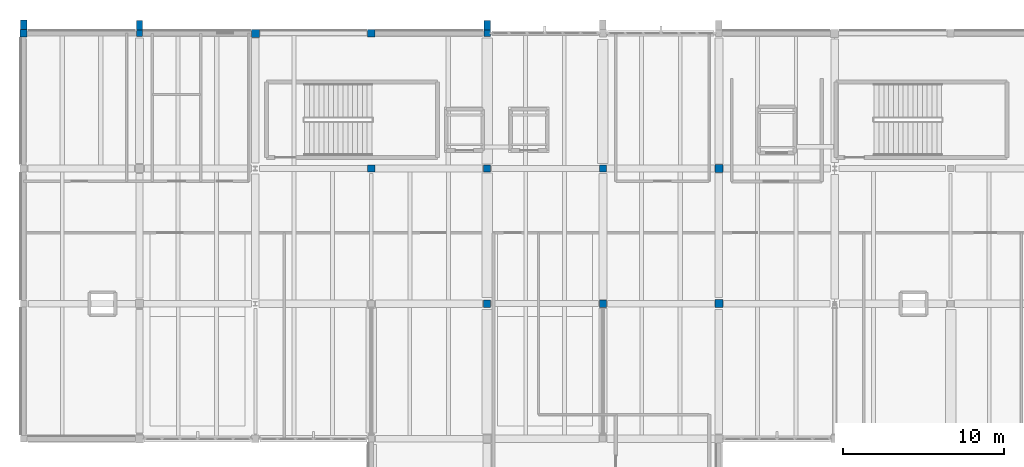
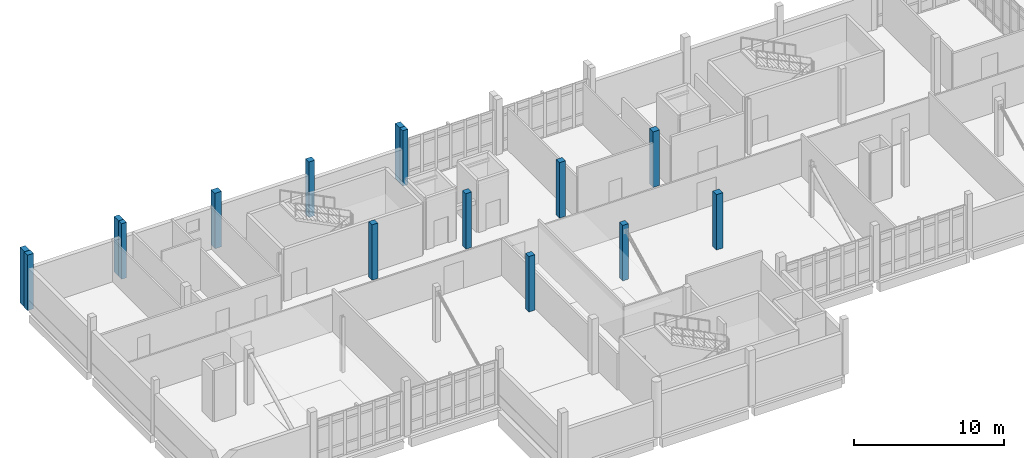
# One storey, part 3 of 34: 15 columns.
"""IFC4 building model written with IfcOpenShell, lengths in metres."""

import ifcopenshell
import ifcopenshell.guid

model = None  # the IFC model being written
_history = None  # IfcOwnerHistory: only IFC2X3 demands one
_inside = {}  # id of a spatial element -> (the spatial element, [elements in it])
_under = {}  # id of a project, library or spatial element -> (it, [spatial elements below it])
_declared = {}  # id of a project -> (the project, [libraries it declares])
_typed = {}  # id of a type object -> (the type object, [elements of that type])
_made_of = {}  # id of a material, layer set ... -> (it, [elements and type objects made of it])


def new_model(schema):
    """Start an empty IFC model of exactly this schema.

    Asked for "IFC4X3", IfcOpenShell would pick the latest addendum, in which some entities
    have other attributes; the version numbers below select the first issue.
    IFC2X3 requires an IfcOwnerHistory on every rooted entity: one is made here for all.
    """
    global model, _history
    if schema == "IFC4X3":
        model = ifcopenshell.file(schema_version=(4, 3, 0, 0))
    else:
        model = ifcopenshell.file(schema=schema)
    _inside.clear()
    _under.clear()
    _declared.clear()
    _typed.clear()
    _made_of.clear()
    _history = None
    if model.schema == "IFC2X3":
        org = make("IfcOrganization", Name="unknown")
        user = make(
            "IfcPersonAndOrganization",
            ThePerson=make("IfcPerson", FamilyName="unknown"),
            TheOrganization=org,
        )
        app = make(
            "IfcApplication",
            ApplicationDeveloper=org,
            Version="unknown",
            ApplicationFullName="unknown",
            ApplicationIdentifier="unknown",
        )
        _history = make(
            "IfcOwnerHistory",
            OwningUser=user,
            OwningApplication=app,
            ChangeAction="ADDED",
            CreationDate=0,
        )
    return model


def make(cls, **values):
    """One entity of the class cls with the attributes given. An attribute that is None is left unset."""
    return model.create_entity(
        cls, **{name: value for name, value in values.items() if value is not None}
    )


def rooted(cls, **values):
    """An entity with a GlobalId (a new one), such as an element, a storey or a relation."""
    return make(cls, GlobalId=ifcopenshell.guid.new(), OwnerHistory=_history, **values)


def si_unit(unit_type, name, prefix=None):
    """IfcSIUnit, for example si_unit("LENGTHUNIT", "METRE", prefix="MILLI")."""
    return make("IfcSIUnit", UnitType=unit_type, Prefix=prefix, Name=name)


def assignment(units):
    """IfcUnitAssignment: the units of a project."""
    return None if units is None else make("IfcUnitAssignment", Units=units)


def point(xyz):
    """IfcCartesianPoint."""
    return None if xyz is None else make("IfcCartesianPoint", Coordinates=xyz)


def direction(xyz):
    """IfcDirection."""
    return None if xyz is None else make("IfcDirection", DirectionRatios=xyz)


def frame(location, z_axis=None, x_axis=None):
    """IfcAxis2Placement3D, a coordinate frame: its origin and axes. An axis left out is left unset."""
    return make(
        "IfcAxis2Placement3D",
        Location=point(location),
        Axis=direction(z_axis),
        RefDirection=direction(x_axis),
    )


def frame_2d(location, x_axis=None):
    """IfcAxis2Placement2D, a coordinate frame in the plane: its origin and x axis."""
    return make(
        "IfcAxis2Placement2D", Location=point(location), RefDirection=direction(x_axis)
    )


def origin():
    """The frame at (0, 0, 0) with its axes left unset."""
    return frame((0.0, 0.0, 0.0))


def origin_2d():
    """The frame at (0, 0) in the plane with its x axis left unset."""
    return frame_2d((0.0, 0.0))


def place(relative_to, where):
    """IfcLocalPlacement: puts the frame where relative to a parent placement (None: the world)."""
    return make(
        "IfcLocalPlacement", PlacementRelTo=relative_to, RelativePlacement=where
    )


def context(
    kind, dimensions, precision=None, world=None, true_north=None, identifier=None
):
    """IfcGeometricRepresentationContext, for example the 3D "Model" context."""
    return make(
        "IfcGeometricRepresentationContext",
        ContextIdentifier=identifier,
        ContextType=kind,
        CoordinateSpaceDimension=dimensions,
        Precision=precision,
        WorldCoordinateSystem=world,
        TrueNorth=true_north,
    )


def subcontext(parent, identifier, kind, view, scale=None):
    """IfcGeometricRepresentationSubContext, for example "Body" below "Model"."""
    return make(
        "IfcGeometricRepresentationSubContext",
        ContextIdentifier=identifier,
        ContextType=kind,
        ParentContext=parent,
        TargetScale=scale,
        TargetView=view,
    )


def project(units=None, contexts=None):
    """IfcProject with its units and contexts."""
    return rooted(
        "IfcProject",
        Name="project",
        RepresentationContexts=contexts,
        UnitsInContext=assignment(units),
    )


def spatial(cls, under=None, at=None, **own):
    """A site, building, storey or space (cls), placed at a placement, below another one or the project."""
    s = rooted(cls, ObjectPlacement=at, **own)
    if under is not None:
        _under.setdefault(under.id(), (under, []))[1].append(s)
    return s


def profile(cls, at=None, kind="AREA", **sizes):
    """A parametric profile (cls). Its sizes go by their IFC names, for example OverallWidth=200.0."""
    return make(cls, ProfileType=kind, Position=at, **sizes)


def rectangle(**sizes):
    """IfcRectangleProfileDef."""
    return profile("IfcRectangleProfileDef", **sizes)


def extrude(swept, where, along, depth):
    """IfcExtrudedAreaSolid: the profile swept, set in the frame where, extruded along a direction by depth."""
    return make(
        "IfcExtrudedAreaSolid",
        SweptArea=swept,
        Position=where,
        ExtrudedDirection=direction(along),
        Depth=depth,
    )


def shape(context_of_items, identifier, shape_type, items):
    """IfcShapeRepresentation: the items that make up one representation, for example the "Body"."""
    return make(
        "IfcShapeRepresentation",
        ContextOfItems=context_of_items,
        RepresentationIdentifier=identifier,
        RepresentationType=shape_type,
        Items=items,
    )


def material(Name=None, Category=None):
    """IfcMaterial."""
    return make("IfcMaterial", Name=Name, Category=Category)


def material_profile(
    of_material, cross_section, Name=None, Category=None, Priority=None
):
    """IfcMaterialProfile: a cross section and its material."""
    return make(
        "IfcMaterialProfile",
        Name=Name,
        Material=of_material,
        Profile=cross_section,
        Priority=Priority,
        Category=Category,
    )


def profile_set(profiles, Name=None, composite=None):
    """IfcMaterialProfileSet."""
    return make(
        "IfcMaterialProfileSet",
        Name=Name,
        MaterialProfiles=profiles,
        CompositeProfile=composite,
    )


def made_of(thing, what):
    """Note that an element or type object is made of a material, layer set ...; save() writes the relation."""
    if what is not None:
        _made_of.setdefault(what.id(), (what, []))[1].append(thing)
    return thing


def type_object(cls, material=None, **own):
    """A type object (cls), such as IfcWallType, which elements share."""
    return made_of(rooted(cls, **own), material)


def element(
    cls,
    number,
    at=None,
    inside=None,
    cuts=None,
    type_object=None,
    material=None,
    context=None,
    identifier="Body",
    shape_type=None,
    held_by="IfcProductDefinitionShape",
    body=None,
    shapes=None,
    **own,
):
    """One element of the class cls, such as IfcWall. Its Tag is "e" and its number.

    at: its placement. inside: the storey or other place that contains it. cuts: it is an
    opening in that element (IfcRelVoidsElement). A single representation is given by context,
    identifier, shape_type and body (its items); several are given by shapes. held_by: the class
    of the entity that holds the representations. save() writes the other relations.
    """
    e = rooted(cls, Tag="e%d" % number, ObjectPlacement=at, **own)
    if body is not None:
        shapes = [shape(context, identifier, shape_type, body)]
    if shapes is not None:
        e.Representation = make(held_by, Representations=shapes)
    if inside is not None:
        _inside.setdefault(inside.id(), (inside, []))[1].append(e)
    if cuts is not None:
        rooted(
            "IfcRelVoidsElement", RelatingBuildingElement=cuts, RelatedOpeningElement=e
        )
    if type_object is not None:
        _typed.setdefault(type_object.id(), (type_object, []))[1].append(e)
    return made_of(e, material)


def aggregate(whole, parts):
    """IfcRelAggregates: a whole, such as a stair, and the parts it consists of."""
    return rooted("IfcRelAggregates", RelatingObject=whole, RelatedObjects=parts)


def save(model, path):
    """Write the relations noted so far, then the file.

    IfcRelAggregates (storeys below a building ...), IfcRelContainedInSpatialStructure (elements
    in a storey), IfcRelDefinesByType, IfcRelAssociatesMaterial and IfcRelDeclares: one each for
    every whole, place, type object, material and project.
    """
    for whole, parts in _under.values():
        aggregate(whole, parts)
    for where, things in _inside.values():
        rooted(
            "IfcRelContainedInSpatialStructure",
            RelatedElements=things,
            RelatingStructure=where,
        )
    for kind, things in _typed.values():
        rooted("IfcRelDefinesByType", RelatedObjects=things, RelatingType=kind)
    for what, things in _made_of.values():
        rooted("IfcRelAssociatesMaterial", RelatedObjects=things, RelatingMaterial=what)
    for by, libraries in _declared.values():
        rooted("IfcRelDeclares", RelatingContext=by, RelatedDefinitions=libraries)
    model.write(path)


model = new_model("IFC4")

# Units and contexts
model_context = context("Model", 3, precision=1e-05, world=origin(), true_north=direction((0.0, 1.0)))
body_context = subcontext(model_context, "Body", "Model", "MODEL_VIEW")
ifc_project = project(units=[si_unit("LENGTHUNIT", "METRE"), si_unit("AREAUNIT", "SQUARE_METRE"), si_unit("VOLUMEUNIT", "CUBIC_METRE"), si_unit("PLANEANGLEUNIT", "RADIAN"), si_unit("MASSUNIT", "GRAM", prefix="KILO")], contexts=[model_context])

# Site, building, storey
site_placement = place(None, origin())
site = spatial("IfcSite", under=ifc_project, at=site_placement, CompositionType="ELEMENT")
building_placement = place(site_placement, origin())
building = spatial("IfcBuilding", under=site, at=building_placement, Name="Kalluvel Institute of Natural Sciences", CompositionType="ELEMENT")
storey_placement = place(building_placement, frame((0.0, 0.0, 36.89990234375)))
storey = spatial("IfcBuildingStorey", under=building, at=storey_placement, Name="L08", CompositionType="ELEMENT", Elevation=36.89990234375)

# Columns
ifc_material_1 = material(Name="Concrete M40", Category="concrete")
ifc_material_profile_1 = material_profile(ifc_material_1, rectangle(XDim=0.39990234375, YDim=0.39990234375, at=origin_2d()), Name="RC 400x400")
ifc_profile_set_1 = profile_set([ifc_material_profile_1], Name="Concrete M40")
column_type_1 = type_object("IfcColumnType", Name="COL-RC400", PredefinedType="COLUMN", material=ifc_profile_set_1)
for number, where, z_axis, x_axis, name in (
    (1, (21.199951171875, 128.0, 0.0), (0.0, 0.0, 1.0), (1.0, 0.0, 0.0), "L08 structural column COL-L08-X212-Y1280"),
    (2, (42.800048828125, 128.0, 0.0), (0.0, 0.0, 1.0), (1.0, 0.0, 0.0), "L08 structural column COL-L08-X428-Y1280"),
):
    element("IfcColumn", number, at=place(storey_placement, frame(where, z_axis=z_axis, x_axis=x_axis)), inside=storey, type_object=column_type_1, Name=name, PredefinedType="COLUMN", context=body_context, shape_type="SweptSolid", body=[
        extrude(rectangle(XDim=0.39990234375, YDim=0.39990234375, at=origin_2d()), origin(), (0.0, 0.0, 1.0), 4.5),
    ])
ifc_material_profile_2 = material_profile(ifc_material_1, rectangle(XDim=0.449951171875, YDim=0.449951171875, at=origin_2d()), Name="RC 450x450")
ifc_profile_set_2 = profile_set([ifc_material_profile_2], Name="Concrete M40")
column_type_2 = type_object("IfcColumnType", Name="COL-RC450", PredefinedType="COLUMN", material=ifc_profile_set_2)
for number, where, z_axis, x_axis, name in (
    (3, (14.0, 128.0, 0.0), (0.0, 0.0, 1.0), (1.0, 0.0, 0.0), "L08 structural column COL-L08-X140-Y1280"),
    (4, (35.60009765625, 119.60009765625, 0.0), (0.0, 0.0, 1.0), (1.0, 0.0, 0.0), "L08 structural column COL-L08-X356-Y1196"),
    (5, (35.60009765625, 128.0, 0.0), (0.0, 0.0, 1.0), (1.0, 0.0, 0.0), "L08 structural column COL-L08-X356-Y1280"),
    (6, (42.800048828125, 111.199951171875, 0.0), (0.0, 0.0, 1.0), (1.0, 0.0, 0.0), "L08 structural column COL-L08-X428-Y1112"),
    (7, (42.800048828125, 119.60009765625, 0.0), (0.0, 0.0, 1.0), (1.0, 0.0, 0.0), "L08 structural column COL-L08-X428-Y1196"),
    (8, (50.0, 111.199951171875, 0.0), (0.0, 0.0, 1.0), (1.0, 0.0, 0.0), "L08 structural column COL-L08-X500-Y1112"),
    (9, (50.0, 119.60009765625, 0.0), (0.0, 0.0, 1.0), (1.0, 0.0, 0.0), "L08 structural column COL-L08-X500-Y1196"),
):
    element("IfcColumn", number, at=place(storey_placement, frame(where, z_axis=z_axis, x_axis=x_axis)), inside=storey, type_object=column_type_2, Name=name, PredefinedType="COLUMN", context=body_context, shape_type="SweptSolid", body=[
        extrude(rectangle(XDim=0.449951171875, YDim=0.449951171875, at=origin_2d()), origin(), (0.0, 0.0, 1.0), 4.5),
    ])
ifc_material_profile_3 = material_profile(ifc_material_1, rectangle(XDim=0.5, YDim=0.5, at=origin_2d()), Name="RC 500x500")
ifc_profile_set_3 = profile_set([ifc_material_profile_3], Name="Concrete M40")
column_type_3 = type_object("IfcColumnType", Name="COL-RC500", PredefinedType="COLUMN", material=ifc_profile_set_3)
for number, where, z_axis, x_axis, name in (
    (10, (28.39990234375, 128.0, 0.0), (0.0, 0.0, 1.0), (1.0, 0.0, 0.0), "L08 structural column COL-L08-X284-Y1280"),
    (11, (57.199951171875, 111.199951171875, 0.0), (0.0, 0.0, 1.0), (1.0, 0.0, 0.0), "L08 structural column COL-L08-X572-Y1112"),
    (12, (57.199951171875, 119.60009765625, 0.0), (0.0, 0.0, 1.0), (1.0, 0.0, 0.0), "L08 structural column COL-L08-X572-Y1196"),
):
    element("IfcColumn", number, at=place(storey_placement, frame(where, z_axis=z_axis, x_axis=x_axis)), inside=storey, type_object=column_type_3, Name=name, PredefinedType="COLUMN", context=body_context, shape_type="SweptSolid", body=[
        extrude(rectangle(XDim=0.5, YDim=0.5, at=origin_2d()), origin(), (0.0, 0.0, 1.0), 4.5),
    ])
ifc_material_2 = material(Name="Sadarahalli Granite Precast Concrete M45", Category="masonry")
ifc_material_profile_4 = material_profile(ifc_material_2, rectangle(XDim=0.39990234375, YDim=0.60009765625, at=origin_2d()), Name="PIL 400x600")
ifc_profile_set_4 = profile_set([ifc_material_profile_4], Name="Sadarahalli Granite Precast Concrete M45")
column_type_4 = type_object("IfcColumnType", Name="PIL-400x600", PredefinedType="PILASTER", material=ifc_profile_set_4)
for number, where, z_axis, x_axis, name in (
    (13, (14.0, 128.528076171875, 0.0), (0.0, 0.0, 1.0), (1.0, 0.0, 0.0), "L08 Gothic stepped Sadarahalli granite buttress 10"),
    (14, (21.199951171875, 128.5029296875, 0.0), (0.0, 0.0, 1.0), (1.0, 0.0, 0.0), "L08 Gothic stepped Sadarahalli granite buttress 20"),
    (15, (42.800048828125, 128.5029296875, 0.0), (0.0, 0.0, 1.0), (1.0, 0.0, 0.0), "L08 Gothic stepped Sadarahalli granite buttress 30"),
):
    element("IfcColumn", number, at=place(storey_placement, frame(where, z_axis=z_axis, x_axis=x_axis)), inside=storey, type_object=column_type_4, Name=name, PredefinedType="PILASTER", context=body_context, shape_type="SweptSolid", body=[
        extrude(rectangle(XDim=0.39990234375, YDim=0.60009765625, at=origin_2d()), origin(), (0.0, 0.0, 1.0), 4.5),
    ])

save(model, "model.ifc")
